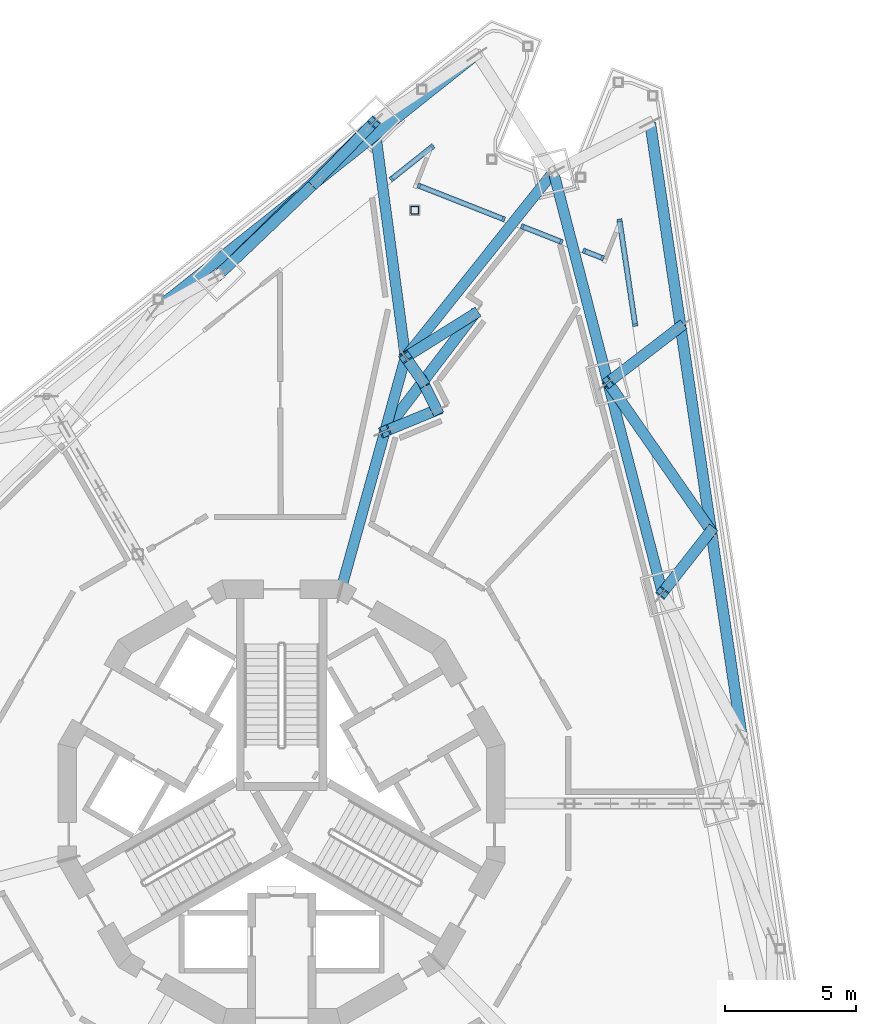
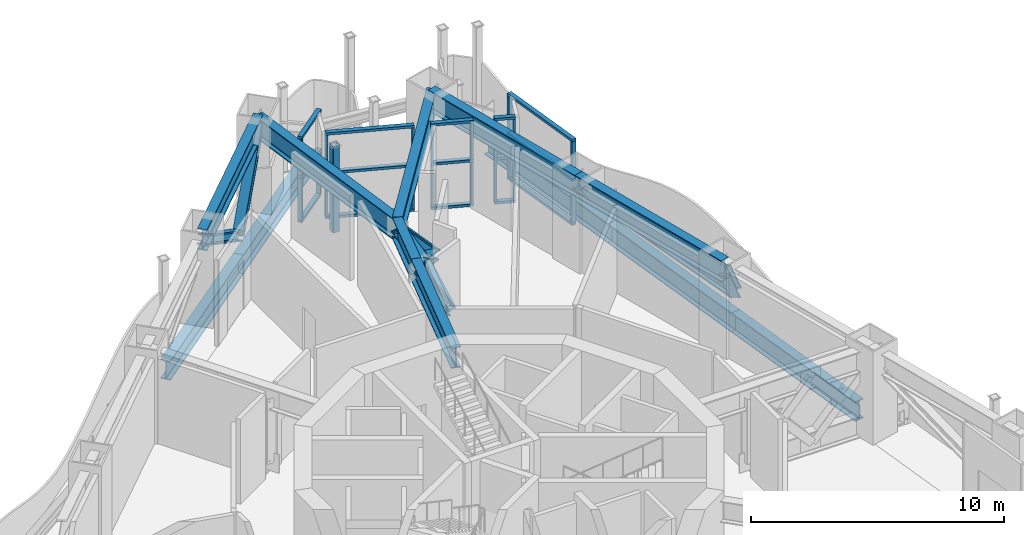
# One storey, part 7 of 27: 53 members, 4 beams, 5 elements without a shape of their own.
"""IFC4 building model written with IfcOpenShell, lengths in metres."""

from ifc_helpers import new_model, si_unit, direction, frame, origin, origin_2d, place, context, subcontext, project, spatial, rectangle, hollow_rectangle, i_section, extrude, material, layer, layer_set, material_profile, profile_set, type_object, element, aggregate, save


model = new_model("IFC4")

# Units and contexts
model_context = context("Model", 3, precision=1e-05, world=origin(), true_north=direction((0.0, 1.0)))
body_context = subcontext(model_context, "Body", "Model", "MODEL_VIEW")
ifc_project = project(units=[si_unit("LENGTHUNIT", "METRE"), si_unit("AREAUNIT", "SQUARE_METRE"), si_unit("VOLUMEUNIT", "CUBIC_METRE"), si_unit("PLANEANGLEUNIT", "RADIAN"), si_unit("MASSUNIT", "GRAM", prefix="KILO")], contexts=[model_context])

# Site, building, storey
site_placement = place(None, origin())
site = spatial("IfcSite", under=ifc_project, at=site_placement, CompositionType="ELEMENT")
building_placement = place(site_placement, origin())
building = spatial("IfcBuilding", under=site, at=building_placement, Name="Trine Commons Tower", CompositionType="ELEMENT")
storey_placement = place(building_placement, frame((0.0, 0.0, 230.39990234375)))
storey = spatial("IfcBuildingStorey", under=building, at=storey_placement, Name="L60", CompositionType="ELEMENT", Elevation=230.39990234375)

# Curtain wall, members
ifc_material_1 = material(Name="Plant louvre wall: anodised aluminium frame with anodised aluminium louvre blades", Category="aluminium")
ifc_layer = layer(ifc_material_1, 0.199951171875)
ifc_layer_set = layer_set([ifc_layer], Name="Plant louvre wall: anodised aluminium frame with anodised aluminium louvre blades")
curtain_wall_type = type_object("IfcCurtainWallType", Name="Plant louvre wall curtain wall CW7", PredefinedType="NOTDEFINED", material=ifc_layer_set)
curtain_wall_1_placement = place(storey_placement, origin())
curtain_wall_1 = element("IfcCurtainWall", 1, at=curtain_wall_1_placement, inside=storey, type_object=curtain_wall_type, Name="Plant louvre wall L60 F1.2", PredefinedType="NOTDEFINED")
ifc_material_2 = material(Name="Anodised aluminium, bronze finish", Category="aluminium")
ifc_material_profile_1 = material_profile(ifc_material_2, rectangle(XDim=0.199951171875, YDim=0.10009765625, at=origin_2d()), Name="Mullion 100x200")
ifc_profile_set_1 = profile_set([ifc_material_profile_1], Name="Anodised aluminium, bronze finish")
member_type_1 = type_object("IfcMemberType", Name="Mullion 100x200, Anodised aluminium, bronze finish", PredefinedType="MULLION", material=ifc_profile_set_1)
member_1_placement = place(storey_placement, frame((84.18115234375, 86.258056640625, 0.1201171875), z_axis=(0.0, 0.0, 1.0), x_axis=(-0.622514636638, 0.782608156852, 0.0)))
member_1 = element("IfcMember", 2, at=member_1_placement, type_object=member_type_1, Name="CW7 mullion 1.1", PredefinedType="MULLION", context=body_context, shape_type="SweptSolid", body=[
    extrude(rectangle(XDim=0.199951171875, YDim=0.10009765625, at=origin_2d()), origin(), (0.0, 0.0, 1.0), 2.02001953125),
])
member_2_placement = place(storey_placement, frame((84.18115234375, 86.258056640625, 2.260009765625), z_axis=(0.0, 0.0, 1.0), x_axis=(-0.622514636638, 0.782608156852, 0.0)))
member_2 = element("IfcMember", 3, at=member_2_placement, type_object=member_type_1, Name="CW7 mullion 1.2", PredefinedType="MULLION", context=body_context, shape_type="SweptSolid", body=[
    extrude(rectangle(XDim=0.199951171875, YDim=0.10009765625, at=origin_2d()), origin(), (0.0, 0.0, 1.0), 1.77001953125),
])
member_3_placement = place(storey_placement, frame((85.734130859375, 87.493408203125, 0.1201171875), z_axis=(0.0, 0.0, 1.0), x_axis=(-0.622514636638, 0.782608156852, 0.0)))
member_3 = element("IfcMember", 4, at=member_3_placement, type_object=member_type_1, Name="CW7 mullion 2.1", PredefinedType="MULLION", context=body_context, shape_type="SweptSolid", body=[
    extrude(rectangle(XDim=0.199951171875, YDim=0.10009765625, at=origin_2d()), origin(), (0.0, 0.0, 1.0), 2.02001953125),
])

curtain_wall_2_placement = place(storey_placement, origin())
curtain_wall_2 = element("IfcCurtainWall", 5, at=curtain_wall_2_placement, inside=storey, type_object=curtain_wall_type, Name="Plant louvre wall L60 P1.1", PredefinedType="NOTDEFINED")
member_4_placement = place(storey_placement, frame((85.226806640625, 86.00048828125, 0.1201171875), z_axis=(0.0, 0.0, 1.0), x_axis=(0.366501226724, 0.930417567982, 0.0)))
member_4 = element("IfcMember", 6, at=member_4_placement, type_object=member_type_1, Name="CW7 mullion 1.1", PredefinedType="MULLION", context=body_context, shape_type="SweptSolid", body=[
    extrude(rectangle(XDim=0.199951171875, YDim=0.10009765625, at=origin_2d()), origin(), (0.0, 0.0, 1.0), 2.02001953125),
])
member_5_placement = place(storey_placement, frame((85.226806640625, 86.00048828125, 2.260009765625), z_axis=(0.0, 0.0, 1.0), x_axis=(0.366501226724, 0.930417567982, 0.0)))
member_5 = element("IfcMember", 7, at=member_5_placement, type_object=member_type_1, Name="CW7 mullion 1.2", PredefinedType="MULLION", context=body_context, shape_type="SweptSolid", body=[
    extrude(rectangle(XDim=0.199951171875, YDim=0.10009765625, at=origin_2d()), origin(), (0.0, 0.0, 1.0), 1.77001953125),
])
member_6_placement = place(storey_placement, frame((88.440185546875, 84.73486328125, 0.1201171875), z_axis=(0.0, 0.0, 1.0), x_axis=(0.366501226724, 0.930417567982, 0.0)))
member_6 = element("IfcMember", 8, at=member_6_placement, type_object=member_type_1, Name="CW7 mullion 2.1", PredefinedType="MULLION", context=body_context, shape_type="SweptSolid", body=[
    extrude(rectangle(XDim=0.199951171875, YDim=0.10009765625, at=origin_2d()), origin(), (0.0, 0.0, 1.0), 2.02001953125),
])
member_7_placement = place(storey_placement, frame((88.440185546875, 84.73486328125, 2.260009765625), z_axis=(0.0, 0.0, 1.0), x_axis=(0.366501226724, 0.930417567982, 0.0)))
member_7 = element("IfcMember", 9, at=member_7_placement, type_object=member_type_1, Name="CW7 mullion 2.2", PredefinedType="MULLION", context=body_context, shape_type="SweptSolid", body=[
    extrude(rectangle(XDim=0.199951171875, YDim=0.10009765625, at=origin_2d()), origin(), (0.0, 0.0, 1.0), 1.77001953125),
])

curtain_wall_3_placement = place(storey_placement, origin())
curtain_wall_3 = element("IfcCurtainWall", 10, at=curtain_wall_3_placement, inside=storey, type_object=curtain_wall_type, Name="Plant louvre wall L60 P1.2", PredefinedType="NOTDEFINED")
member_8_placement = place(storey_placement, frame((89.153076171875, 84.453857421875, 0.1201171875), z_axis=(0.0, 0.0, 1.0), x_axis=(0.366501226724, 0.930417567982, 0.0)))
member_8 = element("IfcMember", 11, at=member_8_placement, type_object=member_type_1, Name="CW7 mullion 1.1", PredefinedType="MULLION", context=body_context, shape_type="SweptSolid", body=[
    extrude(rectangle(XDim=0.199951171875, YDim=0.10009765625, at=origin_2d()), origin(), (0.0, 0.0, 1.0), 2.02001953125),
])
member_9_placement = place(storey_placement, frame((89.153076171875, 84.453857421875, 2.260009765625), z_axis=(0.0, 0.0, 1.0), x_axis=(0.366501226724, 0.930417567982, 0.0)))
member_9 = element("IfcMember", 12, at=member_9_placement, type_object=member_type_1, Name="CW7 mullion 1.2", PredefinedType="MULLION", context=body_context, shape_type="SweptSolid", body=[
    extrude(rectangle(XDim=0.199951171875, YDim=0.10009765625, at=origin_2d()), origin(), (0.0, 0.0, 1.0), 1.77001953125),
])
member_10_placement = place(storey_placement, frame((90.63671875, 83.869384765625, 0.1201171875), z_axis=(0.0, 0.0, 1.0), x_axis=(0.366501226724, 0.930417567982, 0.0)))
member_10 = element("IfcMember", 13, at=member_10_placement, type_object=member_type_1, Name="CW7 mullion 2.1", PredefinedType="MULLION", context=body_context, shape_type="SweptSolid", body=[
    extrude(rectangle(XDim=0.199951171875, YDim=0.10009765625, at=origin_2d()), origin(), (0.0, 0.0, 1.0), 2.02001953125),
])
member_11_placement = place(storey_placement, frame((90.63671875, 83.869384765625, 2.260009765625), z_axis=(0.0, 0.0, 1.0), x_axis=(0.366501226724, 0.930417567982, 0.0)))
member_11 = element("IfcMember", 14, at=member_11_placement, type_object=member_type_1, Name="CW7 mullion 2.2", PredefinedType="MULLION", context=body_context, shape_type="SweptSolid", body=[
    extrude(rectangle(XDim=0.199951171875, YDim=0.10009765625, at=origin_2d()), origin(), (0.0, 0.0, 1.0), 1.77001953125),
])

curtain_wall_4_placement = place(storey_placement, origin())
curtain_wall_4 = element("IfcCurtainWall", 15, at=curtain_wall_4_placement, inside=storey, type_object=curtain_wall_type, Name="Plant louvre wall L60 P1.3", PredefinedType="NOTDEFINED")
member_12_placement = place(storey_placement, frame((91.50927734375, 83.52587890625, 0.1201171875), z_axis=(0.0, 0.0, 1.0), x_axis=(0.366501226724, 0.930417567982, 0.0)))
member_12 = element("IfcMember", 16, at=member_12_placement, type_object=member_type_1, Name="CW7 mullion 1.1", PredefinedType="MULLION", context=body_context, shape_type="SweptSolid", body=[
    extrude(rectangle(XDim=0.199951171875, YDim=0.10009765625, at=origin_2d()), origin(), (0.0, 0.0, 1.0), 2.02001953125),
])
member_13_placement = place(storey_placement, frame((91.50927734375, 83.52587890625, 2.260009765625), z_axis=(0.0, 0.0, 1.0), x_axis=(0.366501226724, 0.930417567982, 0.0)))
member_13 = element("IfcMember", 17, at=member_13_placement, type_object=member_type_1, Name="CW7 mullion 1.2", PredefinedType="MULLION", context=body_context, shape_type="SweptSolid", body=[
    extrude(rectangle(XDim=0.199951171875, YDim=0.10009765625, at=origin_2d()), origin(), (0.0, 0.0, 1.0), 1.77001953125),
])
member_14_placement = place(storey_placement, frame((92.204833984375, 83.251708984375, 0.1201171875), z_axis=(0.0, 0.0, 1.0), x_axis=(0.366501226724, 0.930417567982, 0.0)))
member_14 = element("IfcMember", 18, at=member_14_placement, type_object=member_type_1, Name="CW7 mullion 2.1", PredefinedType="MULLION", context=body_context, shape_type="SweptSolid", body=[
    extrude(rectangle(XDim=0.199951171875, YDim=0.10009765625, at=origin_2d()), origin(), (0.0, 0.0, 1.0), 2.02001953125),
])
member_15_placement = place(storey_placement, frame((92.204833984375, 83.251708984375, 2.260009765625), z_axis=(0.0, 0.0, 1.0), x_axis=(0.366501226724, 0.930417567982, 0.0)))
member_15 = element("IfcMember", 19, at=member_15_placement, type_object=member_type_1, Name="CW7 mullion 2.2", PredefinedType="MULLION", context=body_context, shape_type="SweptSolid", body=[
    extrude(rectangle(XDim=0.199951171875, YDim=0.10009765625, at=origin_2d()), origin(), (0.0, 0.0, 1.0), 1.77001953125),
])

curtain_wall_5_placement = place(storey_placement, origin())
curtain_wall_5 = element("IfcCurtainWall", 20, at=curtain_wall_5_placement, inside=storey, type_object=curtain_wall_type, Name="Plant louvre wall L60 F2.1", PredefinedType="NOTDEFINED")
member_16_placement = place(storey_placement, frame((92.851806640625, 84.689697265625, 0.1201171875), z_axis=(0.0, 0.0, 1.0), x_axis=(0.989015863362, 0.14780941113, 0.0)))
member_16 = element("IfcMember", 21, at=member_16_placement, type_object=member_type_1, Name="CW7 mullion 1.1", PredefinedType="MULLION", context=body_context, shape_type="SweptSolid", body=[
    extrude(rectangle(XDim=0.199951171875, YDim=0.10009765625, at=origin_2d()), origin(), (0.0, 0.0, 1.0), 2.02001953125),
])
member_17_placement = place(storey_placement, frame((92.851806640625, 84.689697265625, 2.260009765625), z_axis=(0.0, 0.0, 1.0), x_axis=(0.989015863362, 0.14780941113, 0.0)))
member_17 = element("IfcMember", 22, at=member_17_placement, type_object=member_type_1, Name="CW7 mullion 1.2", PredefinedType="MULLION", context=body_context, shape_type="SweptSolid", body=[
    extrude(rectangle(XDim=0.199951171875, YDim=0.10009765625, at=origin_2d()), origin(), (0.0, 0.0, 1.0), 1.77001953125),
])
member_18_placement = place(storey_placement, frame((93.447021484375, 80.706787109375, 0.1201171875), z_axis=(0.0, 0.0, 1.0), x_axis=(0.989015863362, 0.14780941113, 0.0)))
member_18 = element("IfcMember", 23, at=member_18_placement, type_object=member_type_1, Name="CW7 mullion 2.1", PredefinedType="MULLION", context=body_context, shape_type="SweptSolid", body=[
    extrude(rectangle(XDim=0.199951171875, YDim=0.10009765625, at=origin_2d()), origin(), (0.0, 0.0, 1.0), 2.02001953125),
])
member_19_placement = place(storey_placement, frame((93.447021484375, 80.706787109375, 2.260009765625), z_axis=(0.0, 0.0, 1.0), x_axis=(0.989015863362, 0.14780941113, 0.0)))
member_19 = element("IfcMember", 24, at=member_19_placement, type_object=member_type_1, Name="CW7 mullion 2.2", PredefinedType="MULLION", context=body_context, shape_type="SweptSolid", body=[
    extrude(rectangle(XDim=0.199951171875, YDim=0.10009765625, at=origin_2d()), origin(), (0.0, 0.0, 1.0), 1.77001953125),
])

# Beams
ifc_material_3 = material(Name="Structural steel ASTM A992 Gr50", Category="steel")
ifc_material_profile_2 = material_profile(ifc_material_3, i_section(OverallWidth=0.4033203125, OverallDepth=1.0126953125, WebThickness=0.023681640625, FlangeThickness=0.0419921875, FilletRadius=0.030029296875, at=origin_2d()), Name="W40X297")
ifc_profile_set_2 = profile_set([ifc_material_profile_2], Name="Structural steel ASTM A992 Gr50")
beam_type = type_object("IfcBeamType", Name="Steel beam W40X297, ASTM A992 Gr50", PredefinedType="BEAM", material=ifc_profile_set_2)
for number, where, z_axis, x_axis, name in (
    (25, (83.51025390625, 88.4208984375, 3.643798828125), (0.133005985966, -0.991115234318, 0.0), (0.991115234318, 0.133005985966, 0.0), "Transfer truss girder T6-UV-03"),
    (26, (90.34130859375, 86.5263671875, 3.643798828125), (-0.624480425199, -0.781040458967, 0.0), (0.781040458967, -0.624480425199, 0.0), "Transfer truss girder T6-UV-04"),
):
    element("IfcBeam", number, at=place(storey_placement, frame(where, z_axis=z_axis, x_axis=x_axis)), inside=storey, type_object=beam_type, Name=name, PredefinedType="BEAM", context=body_context, shape_type="SweptSolid", body=[
        extrude(i_section(OverallWidth=0.4033203125, OverallDepth=1.0126953125, WebThickness=0.023681640625, FlangeThickness=0.0419921875, FilletRadius=0.030029296875, at=origin_2d()), origin(), (0.0, 0.0, 1.0), 9.01806640625),
    ])
beam_1_placement = place(storey_placement, frame((82.239501953125, 70.574951171875, 3.643798828125), z_axis=(0.26723523585, 0.963631324066, 0.0), x_axis=(-0.963631324066, 0.26723523585, 0.0)))
element("IfcBeam", 27, at=beam_1_placement, inside=storey, type_object=beam_type, Name="Transfer truss girder T6-UR-03", PredefinedType="BEAM", context=body_context, shape_type="SweptSolid", body=[
    extrude(i_section(OverallWidth=0.4033203125, OverallDepth=1.0126953125, WebThickness=0.023681640625, FlangeThickness=0.0419921875, FilletRadius=0.030029296875, at=origin_2d()), origin(), (0.0, 0.0, 1.0), 6.3173828125),
])
beam_2_placement = place(storey_placement, frame((83.927734375, 76.66259765625, 3.643798828125), z_axis=(0.267187783657, 0.963644482299, 0.0), x_axis=(-0.963644482299, 0.267187783657, 0.0)))
element("IfcBeam", 28, at=beam_2_placement, inside=storey, type_object=beam_type, Name="Transfer truss girder T6-UR-04", PredefinedType="BEAM", context=body_context, shape_type="SweptSolid", body=[
    extrude(i_section(OverallWidth=0.4033203125, OverallDepth=1.0126953125, WebThickness=0.023681640625, FlangeThickness=0.0419921875, FilletRadius=0.030029296875, at=origin_2d()), origin(), (0.0, 0.0, 1.0), 2.9267578125),
])

# Members
ifc_material_profile_3 = material_profile(ifc_material_3, i_section(OverallWidth=0.416015625, OverallDepth=0.444580078125, WebThickness=0.0390625, FlangeThickness=0.062744140625, FilletRadius=0.015380859375, at=origin_2d()), Name="W14X342")
ifc_profile_set_3 = profile_set([ifc_material_profile_3], Name="Structural steel ASTM A992 Gr50")
member_type_2 = type_object("IfcMemberType", Name="Steel brace W14X342, ASTM A992 Gr50", PredefinedType="BRACE", material=ifc_profile_set_3)
member_20_placement = place(storey_placement, frame((81.275390625, 86.118896484375, 0.468505859375), z_axis=(-0.612994630425, -0.584679941438, 0.531400930701), x_axis=(0.690196941728, -0.723621573497, 0.0)))
element("IfcMember", 29, at=member_20_placement, inside=storey, type_object=member_type_2, Name="Belt truss brace T6-DG-22", PredefinedType="BRACE", context=body_context, shape_type="SweptSolid", body=[
    extrude(i_section(OverallWidth=0.416015625, OverallDepth=0.444580078125, WebThickness=0.0390625, FlangeThickness=0.062744140625, FilletRadius=0.015380859375, at=origin_2d()), origin(), (0.0, 0.0, 1.0), 5.975341796875),
])
member_21_placement = place(storey_placement, frame((81.275390625, 86.118896484375, 0.468505859375), z_axis=(0.495094573002, 0.509967962512, 0.703430196249), x_axis=(-0.717492321661, 0.696566413457, 0.0)))
element("IfcMember", 30, at=member_21_placement, inside=storey, type_object=member_type_2, Name="Belt truss brace T6-DG-23", PredefinedType="BRACE", context=body_context, shape_type="SweptSolid", body=[
    extrude(i_section(OverallWidth=0.416015625, OverallDepth=0.444580078125, WebThickness=0.0390625, FlangeThickness=0.062744140625, FilletRadius=0.015380859375, at=origin_2d()), origin(), (0.0, 0.0, 1.0), 4.513916015625),
])
member_22_placement = place(storey_placement, frame((95.17529296875, 80.6435546875, 0.468505859375), z_axis=(-0.586218487443, -0.450228227017, 0.673529827534), x_axis=(0.609107906131, -0.7930873588, 0.0)))
element("IfcMember", 31, at=member_22_placement, inside=storey, type_object=member_type_2, Name="Belt truss brace T6-DG-27", PredefinedType="BRACE", context=body_context, shape_type="SweptSolid", body=[
    extrude(i_section(OverallWidth=0.416015625, OverallDepth=0.444580078125, WebThickness=0.0390625, FlangeThickness=0.062744140625, FilletRadius=0.015380859375, at=origin_2d()), origin(), (0.0, 0.0, 1.0), 4.71435546875),
])
member_23_placement = place(storey_placement, frame((96.335693359375, 72.879150390625, 0.468505859375), z_axis=(-0.518342776339, 0.745248753713, 0.419434215708), x_axis=(-0.820952264255, -0.570996829952, 0.0)))
element("IfcMember", 32, at=member_23_placement, inside=storey, type_object=member_type_2, Name="Belt truss brace T6-DG-28", PredefinedType="BRACE", context=body_context, shape_type="SweptSolid", body=[
    extrude(i_section(OverallWidth=0.416015625, OverallDepth=0.444580078125, WebThickness=0.0390625, FlangeThickness=0.062744140625, FilletRadius=0.015380859375, at=origin_2d()), origin(), (0.0, 0.0, 1.0), 7.5703125),
])
member_24_placement = place(storey_placement, frame((96.335693359375, 72.879150390625, 0.468505859375), z_axis=(-0.424109575962, -0.540735520202, 0.726454516656), x_axis=(0.786851095678, -0.617142895309, 0.0)))
element("IfcMember", 33, at=member_24_placement, inside=storey, type_object=member_type_2, Name="Belt truss brace T6-DG-29", PredefinedType="BRACE", context=body_context, shape_type="SweptSolid", body=[
    extrude(i_section(OverallWidth=0.416015625, OverallDepth=0.444580078125, WebThickness=0.0390625, FlangeThickness=0.062744140625, FilletRadius=0.015380859375, at=origin_2d()), origin(), (0.0, 0.0, 1.0), 4.370849609375),
])
member_25_placement = place(storey_placement, frame((85.8984375, 77.47412109375, 0.468505859375), z_axis=(-0.515320391731, -0.212205770827, 0.830309342772), x_axis=(0.380772851222, -0.924668608623, 0.0)))
element("IfcMember", 34, at=member_25_placement, inside=storey, type_object=member_type_2, Name="Belt truss brace T6-DG-41", PredefinedType="BRACE", context=body_context, shape_type="SweptSolid", body=[
    extrude(i_section(OverallWidth=0.416015625, OverallDepth=0.444580078125, WebThickness=0.0390625, FlangeThickness=0.062744140625, FilletRadius=0.015380859375, at=origin_2d()), origin(), (0.0, 0.0, 1.0), 3.82421875),
])
member_26_placement = place(storey_placement, frame((87.336669921875, 81.125244140625, 0.468505859375), z_axis=(-0.528415278527, -0.691749829993, 0.492198604349), x_axis=(0.794673628893, -0.60703692107, 0.0)))
element("IfcMember", 35, at=member_26_placement, inside=storey, type_object=member_type_2, Name="Belt truss brace T6-DG-42", PredefinedType="BRACE", context=body_context, shape_type="SweptSolid", body=[
    extrude(i_section(OverallWidth=0.416015625, OverallDepth=0.444580078125, WebThickness=0.0390625, FlangeThickness=0.062744140625, FilletRadius=0.015380859375, at=origin_2d()), origin(), (0.0, 0.0, 1.0), 6.451171875),
])
member_27_placement = place(storey_placement, frame((85.8984375, 77.47412109375, 0.468505859375), z_axis=(-0.243227785688, 0.488683952372, 0.837871254408), x_axis=(-0.895242154755, -0.445579941594, 0.0)))
element("IfcMember", 36, at=member_27_placement, inside=storey, type_object=member_type_2, Name="Belt truss brace T6-DG-43a", PredefinedType="BRACE", context=body_context, shape_type="SweptSolid", body=[
    extrude(i_section(OverallWidth=0.416015625, OverallDepth=0.444580078125, WebThickness=0.0390625, FlangeThickness=0.062744140625, FilletRadius=0.015380859375, at=origin_2d()), origin(), (0.0, 0.0, 1.0), 2.191162109375),
])
member_28_placement = place(storey_placement, frame((85.365478515625, 78.544921875, 2.304443359375), z_axis=(-0.372224449748, 0.532422314197, 0.760246958793), x_axis=(-0.819572514018, -0.572975474402, 0.0)))
element("IfcMember", 37, at=member_28_placement, inside=storey, type_object=member_type_2, Name="Belt truss brace T6-DG-43b", PredefinedType="BRACE", context=body_context, shape_type="SweptSolid", body=[
    extrude(i_section(OverallWidth=0.416015625, OverallDepth=0.444580078125, WebThickness=0.0390625, FlangeThickness=0.062744140625, FilletRadius=0.015380859375, at=origin_2d()), origin(), (0.0, 0.0, 1.0), 1.76171875),
])
member_29_placement = place(storey_placement, frame((87.336669921875, 81.125244140625, 0.468505859375), z_axis=(-0.59215150209, -0.370204754141, 0.715754873252), x_axis=(0.530112270881, -0.847927461674, 0.0)))
element("IfcMember", 38, at=member_29_placement, inside=storey, type_object=member_type_2, Name="Belt truss brace T6-DG-44", PredefinedType="BRACE", context=body_context, shape_type="SweptSolid", body=[
    extrude(i_section(OverallWidth=0.416015625, OverallDepth=0.444580078125, WebThickness=0.0390625, FlangeThickness=0.062744140625, FilletRadius=0.015380859375, at=origin_2d()), origin(), (0.0, 0.0, 1.0), 4.436279296875),
])
ifc_material_profile_4 = material_profile(ifc_material_3, i_section(OverallWidth=0.419189453125, OverallDepth=0.9365234375, WebThickness=0.021240234375, FlangeThickness=0.03662109375, FilletRadius=0.024169921875, at=origin_2d()), Name="W36X262")
ifc_profile_set_4 = profile_set([ifc_material_profile_4], Name="Structural steel ASTM A992 Gr50")
member_type_3 = type_object("IfcMemberType", Name="Steel chord W36X262, ASTM A992 Gr50", PredefinedType="CHORD", material=ifc_profile_set_4)
member_30_placement = place(storey_placement, frame((75.13134765625, 81.231689453125, -0.918212890625), z_axis=(0.782607252053, 0.622515774124, 0.0), x_axis=(-0.622515774124, 0.782607252053, 0.0)))
element("IfcMember", 39, at=member_30_placement, inside=storey, type_object=member_type_3, Name="Belt truss chord T6-LC-11", PredefinedType="CHORD", context=body_context, shape_type="SweptSolid", body=[
    extrude(i_section(OverallWidth=0.419189453125, OverallDepth=0.9365234375, WebThickness=0.021240234375, FlangeThickness=0.03662109375, FilletRadius=0.024169921875, at=origin_2d()), origin(), (0.0, 0.0, 1.0), 7.850830078125),
])
for number, where, z_axis, x_axis, name in (
    (40, (81.275390625, 86.118896484375, -0.918212890625), (0.782595200411, 0.622530924769, 0.0), (-0.622530924769, 0.782595200411, 0.0), "Belt truss chord T6-LC-12"),
    (41, (94.014892578125, 88.407958984375, -0.918212890625), (0.147809709358, -0.989015818791, 0.0), (0.989015818791, 0.147809709358, 0.0), "Belt truss chord T6-LC-13"),
    (42, (95.17529296875, 80.6435546875, -0.918212890625), (0.147809709358, -0.989015818791, 0.0), (0.989015818791, 0.147809709358, 0.0), "Belt truss chord T6-LC-14"),
    (43, (96.335693359375, 72.879150390625, -0.918212890625), (0.147809709358, -0.989015818791, 0.0), (0.989015818791, 0.147809709358, 0.0), "Belt truss chord T6-LC-15"),
):
    element("IfcMember", number, at=place(storey_placement, frame(where, z_axis=z_axis, x_axis=x_axis)), inside=storey, type_object=member_type_3, Name=name, PredefinedType="CHORD", context=body_context, shape_type="SweptSolid", body=[
        extrude(i_section(OverallWidth=0.419189453125, OverallDepth=0.9365234375, WebThickness=0.021240234375, FlangeThickness=0.03662109375, FilletRadius=0.024169921875, at=origin_2d()), origin(), (0.0, 0.0, 1.0), 7.8505859375),
    ])
ifc_material_profile_5 = material_profile(ifc_material_3, i_section(OverallWidth=0.4033203125, OverallDepth=1.0126953125, WebThickness=0.023681640625, FlangeThickness=0.0419921875, FilletRadius=0.030029296875, at=origin_2d()), Name="W40X297")
ifc_profile_set_5 = profile_set([ifc_material_profile_5], Name="Structural steel ASTM A992 Gr50")
member_type_4 = type_object("IfcMemberType", Name="Steel chord W40X297, ASTM A992 Gr50", PredefinedType="CHORD", material=ifc_profile_set_5)
for number, where, z_axis, x_axis, name in (
    (44, (77.612548828125, 82.625244140625, 3.643798828125), (0.713250711672, 0.70090899716, 0.0), (-0.70090899716, 0.713250711672, 0.0), "Belt truss chord T6-UC-10"),
    (45, (90.34130859375, 86.5263671875, 3.643798828125), (0.250378050465, -0.968148145608, 0.0), (0.968148145608, 0.250378050465, 0.0), "Belt truss chord T6-UC-11"),
    (46, (92.41162109375, 78.52099609375, 3.643798828125), (0.250378050465, -0.968148145608, 0.0), (0.968148145608, 0.250378050465, 0.0), "Belt truss chord T6-UC-12"),
):
    element("IfcMember", number, at=place(storey_placement, frame(where, z_axis=z_axis, x_axis=x_axis)), inside=storey, type_object=member_type_4, Name=name, PredefinedType="CHORD", context=body_context, shape_type="SweptSolid", body=[
        extrude(i_section(OverallWidth=0.4033203125, OverallDepth=1.0126953125, WebThickness=0.023681640625, FlangeThickness=0.0419921875, FilletRadius=0.030029296875, at=origin_2d()), origin(), (0.0, 0.0, 1.0), 8.268798828125),
    ])
ifc_material_4 = material(Name="Structural steel ASTM A500 Gr C", Category="steel")
ifc_material_profile_6 = material_profile(ifc_material_4, hollow_rectangle(XDim=0.3046875, YDim=0.3046875, WallThickness=0.014892578125, InnerFilletRadius=0.00732421875, OuterFilletRadius=0.022216796875, at=origin_2d()), Name="HSS12X12X5/8")
ifc_profile_set_6 = profile_set([ifc_material_profile_6], Name="Structural steel ASTM A500 Gr C")
member_type_5 = type_object("IfcMemberType", Name="Steel post HSS12X12X5/8, ASTM A500 Gr C", PredefinedType="POST", material=ifc_profile_set_6)
member_31_placement = place(storey_placement, frame((85.06640625, 85.072509765625, 0.0), z_axis=(0.0, 0.0, 1.0), x_axis=(1.0, 0.0, 0.0)))
element("IfcMember", 47, at=member_31_placement, inside=storey, type_object=member_type_5, Name="Roof post SP6-42", PredefinedType="POST", context=body_context, shape_type="SweptSolid", body=[
    extrude(hollow_rectangle(XDim=0.3046875, YDim=0.3046875, WallThickness=0.014892578125, InnerFilletRadius=0.00732421875, OuterFilletRadius=0.022216796875, at=origin_2d()), origin(), (0.0, 0.0, 1.0), 4.150146484375),
])

# Member
ifc_material_profile_7 = material_profile(ifc_material_2, rectangle(XDim=0.199951171875, YDim=0.1201171875, at=origin_2d()), Name="Transom 120x200")
ifc_profile_set_7 = profile_set([ifc_material_profile_7], Name="Anodised aluminium, bronze finish")
member_type_6 = type_object("IfcMemberType", Name="Transom 120x200, Anodised aluminium, bronze finish", PredefinedType="USERDEFINED", material=ifc_profile_set_7)
member_32_placement = place(storey_placement, frame((84.14208984375, 86.22705078125, 0.06005859375), z_axis=(0.782625697482, 0.622492584406, 0.0), x_axis=(-0.622492584406, 0.782625697482, 0.0)))
member_32 = element("IfcMember", 48, at=member_32_placement, type_object=member_type_6, Name="CW7 transom T00", ObjectType="TRANSOM", PredefinedType="USERDEFINED", context=body_context, shape_type="SweptSolid", body=[
    extrude(rectangle(XDim=0.199951171875, YDim=0.1201171875, at=origin_2d()), origin(), (0.0, 0.0, 1.0), 2.084228515625),
])

member_33_placement = place(storey_placement, frame((84.14208984375, 86.22705078125, 2.2001953125), z_axis=(0.782625697482, 0.622492584406, 0.0), x_axis=(-0.622492584406, 0.782625697482, 0.0)))
member_33 = element("IfcMember", 49, at=member_33_placement, type_object=member_type_6, Name="CW7 transom T01", ObjectType="TRANSOM", PredefinedType="USERDEFINED", context=body_context, shape_type="SweptSolid", body=[
    extrude(rectangle(XDim=0.199951171875, YDim=0.1201171875, at=origin_2d()), origin(), (0.0, 0.0, 1.0), 2.084228515625),
])

member_34_placement = place(storey_placement, frame((84.14208984375, 86.22705078125, 4.090087890625), z_axis=(0.782625697482, 0.622492584406, 0.0), x_axis=(-0.622492584406, 0.782625697482, 0.0)))
member_34 = element("IfcMember", 50, at=member_34_placement, type_object=member_type_6, Name="CW7 transom TH00", ObjectType="TRANSOM", PredefinedType="USERDEFINED", context=body_context, shape_type="SweptSolid", body=[
    extrude(rectangle(XDim=0.199951171875, YDim=0.1201171875, at=origin_2d()), origin(), (0.0, 0.0, 1.0), 2.084228515625),
])

aggregate(curtain_wall_1, [member_32, member_33, member_34, member_1, member_2, member_3])

member_35_placement = place(storey_placement, frame((85.18017578125, 86.018798828125, 0.06005859375), z_axis=(0.930411232557, -0.366517309731, 0.0), x_axis=(0.366517309731, 0.930411232557, 0.0)))
member_35 = element("IfcMember", 51, at=member_35_placement, type_object=member_type_6, Name="CW7 transom T00", ObjectType="TRANSOM", PredefinedType="USERDEFINED", context=body_context, shape_type="SweptSolid", body=[
    extrude(rectangle(XDim=0.199951171875, YDim=0.1201171875, at=origin_2d()), origin(), (0.0, 0.0, 1.0), 3.5537109375),
])

member_36_placement = place(storey_placement, frame((85.18017578125, 86.018798828125, 2.2001953125), z_axis=(0.930411232557, -0.366517309731, 0.0), x_axis=(0.366517309731, 0.930411232557, 0.0)))
member_36 = element("IfcMember", 52, at=member_36_placement, type_object=member_type_6, Name="CW7 transom T01", ObjectType="TRANSOM", PredefinedType="USERDEFINED", context=body_context, shape_type="SweptSolid", body=[
    extrude(rectangle(XDim=0.199951171875, YDim=0.1201171875, at=origin_2d()), origin(), (0.0, 0.0, 1.0), 3.5537109375),
])

member_37_placement = place(storey_placement, frame((85.18017578125, 86.018798828125, 4.090087890625), z_axis=(0.930411232557, -0.366517309731, 0.0), x_axis=(0.366517309731, 0.930411232557, 0.0)))
member_37 = element("IfcMember", 53, at=member_37_placement, type_object=member_type_6, Name="CW7 transom TH00", ObjectType="TRANSOM", PredefinedType="USERDEFINED", context=body_context, shape_type="SweptSolid", body=[
    extrude(rectangle(XDim=0.199951171875, YDim=0.1201171875, at=origin_2d()), origin(), (0.0, 0.0, 1.0), 3.5537109375),
])

aggregate(curtain_wall_2, [member_35, member_36, member_37, member_4, member_5, member_6, member_7])

member_38_placement = place(storey_placement, frame((89.106689453125, 84.47216796875, 0.06005859375), z_axis=(0.930441149072, -0.366441356991, 0.0), x_axis=(0.366441356991, 0.930441149072, 0.0)))
member_38 = element("IfcMember", 54, at=member_38_placement, type_object=member_type_6, Name="CW7 transom T00", ObjectType="TRANSOM", PredefinedType="USERDEFINED", context=body_context, shape_type="SweptSolid", body=[
    extrude(rectangle(XDim=0.199951171875, YDim=0.1201171875, at=origin_2d()), origin(), (0.0, 0.0, 1.0), 1.6943359375),
])

member_39_placement = place(storey_placement, frame((89.106689453125, 84.47216796875, 2.2001953125), z_axis=(0.930441149072, -0.366441356991, 0.0), x_axis=(0.366441356991, 0.930441149072, 0.0)))
member_39 = element("IfcMember", 55, at=member_39_placement, type_object=member_type_6, Name="CW7 transom T01", ObjectType="TRANSOM", PredefinedType="USERDEFINED", context=body_context, shape_type="SweptSolid", body=[
    extrude(rectangle(XDim=0.199951171875, YDim=0.1201171875, at=origin_2d()), origin(), (0.0, 0.0, 1.0), 1.6943359375),
])

member_40_placement = place(storey_placement, frame((89.106689453125, 84.47216796875, 4.090087890625), z_axis=(0.930441149072, -0.366441356991, 0.0), x_axis=(0.366441356991, 0.930441149072, 0.0)))
member_40 = element("IfcMember", 56, at=member_40_placement, type_object=member_type_6, Name="CW7 transom TH00", ObjectType="TRANSOM", PredefinedType="USERDEFINED", context=body_context, shape_type="SweptSolid", body=[
    extrude(rectangle(XDim=0.199951171875, YDim=0.1201171875, at=origin_2d()), origin(), (0.0, 0.0, 1.0), 1.6943359375),
])

aggregate(curtain_wall_3, [member_38, member_39, member_40, member_8, member_9, member_10, member_11])

member_41_placement = place(storey_placement, frame((91.462646484375, 83.544189453125, 0.06005859375), z_axis=(0.930351828044, -0.366668073406, 0.0), x_axis=(0.366668073406, 0.930351828044, 0.0)))
member_41 = element("IfcMember", 57, at=member_41_placement, type_object=member_type_6, Name="CW7 transom T00", ObjectType="TRANSOM", PredefinedType="USERDEFINED", context=body_context, shape_type="SweptSolid", body=[
    extrude(rectangle(XDim=0.199951171875, YDim=0.1201171875, at=origin_2d()), origin(), (0.0, 0.0, 1.0), 0.84765625),
])

member_42_placement = place(storey_placement, frame((91.462646484375, 83.544189453125, 2.2001953125), z_axis=(0.930351828044, -0.366668073406, 0.0), x_axis=(0.366668073406, 0.930351828044, 0.0)))
member_42 = element("IfcMember", 58, at=member_42_placement, type_object=member_type_6, Name="CW7 transom T01", ObjectType="TRANSOM", PredefinedType="USERDEFINED", context=body_context, shape_type="SweptSolid", body=[
    extrude(rectangle(XDim=0.199951171875, YDim=0.1201171875, at=origin_2d()), origin(), (0.0, 0.0, 1.0), 0.84765625),
])

member_43_placement = place(storey_placement, frame((91.462646484375, 83.544189453125, 4.090087890625), z_axis=(0.930351828044, -0.366668073406, 0.0), x_axis=(0.366668073406, 0.930351828044, 0.0)))
member_43 = element("IfcMember", 59, at=member_43_placement, type_object=member_type_6, Name="CW7 transom TH00", ObjectType="TRANSOM", PredefinedType="USERDEFINED", context=body_context, shape_type="SweptSolid", body=[
    extrude(rectangle(XDim=0.199951171875, YDim=0.1201171875, at=origin_2d()), origin(), (0.0, 0.0, 1.0), 0.84765625),
])

aggregate(curtain_wall_4, [member_41, member_42, member_43, member_12, member_13, member_14, member_15])

member_44_placement = place(storey_placement, frame((92.844482421875, 84.739013671875, 0.06005859375), z_axis=(0.147770567976, -0.98902166773, 0.0), x_axis=(0.98902166773, 0.147770567976, 0.0)))
member_44 = element("IfcMember", 60, at=member_44_placement, type_object=member_type_6, Name="CW7 transom T00", ObjectType="TRANSOM", PredefinedType="USERDEFINED", context=body_context, shape_type="SweptSolid", body=[
    extrude(rectangle(XDim=0.199951171875, YDim=0.1201171875, at=origin_2d()), origin(), (0.0, 0.0, 1.0), 4.127197265625),
])

member_45_placement = place(storey_placement, frame((92.844482421875, 84.739013671875, 2.2001953125), z_axis=(0.147770567976, -0.98902166773, 0.0), x_axis=(0.98902166773, 0.147770567976, 0.0)))
member_45 = element("IfcMember", 61, at=member_45_placement, type_object=member_type_6, Name="CW7 transom T01", ObjectType="TRANSOM", PredefinedType="USERDEFINED", context=body_context, shape_type="SweptSolid", body=[
    extrude(rectangle(XDim=0.199951171875, YDim=0.1201171875, at=origin_2d()), origin(), (0.0, 0.0, 1.0), 4.127197265625),
])

member_46_placement = place(storey_placement, frame((92.844482421875, 84.739013671875, 4.090087890625), z_axis=(0.147770567976, -0.98902166773, 0.0), x_axis=(0.98902166773, 0.147770567976, 0.0)))
member_46 = element("IfcMember", 62, at=member_46_placement, type_object=member_type_6, Name="CW7 transom TH00", ObjectType="TRANSOM", PredefinedType="USERDEFINED", context=body_context, shape_type="SweptSolid", body=[
    extrude(rectangle(XDim=0.199951171875, YDim=0.1201171875, at=origin_2d()), origin(), (0.0, 0.0, 1.0), 4.127197265625),
])

aggregate(curtain_wall_5, [member_44, member_45, member_46, member_16, member_17, member_18, member_19])

save(model, "model.ifc")
